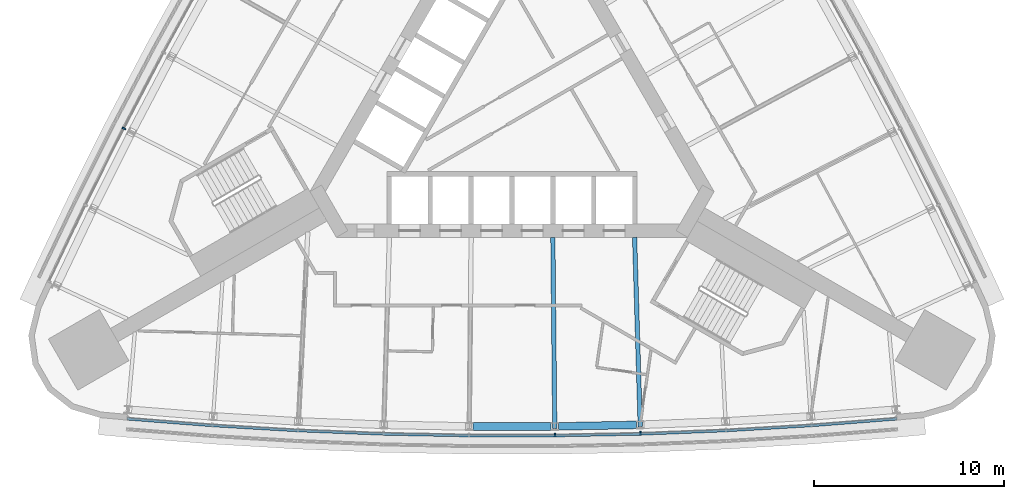
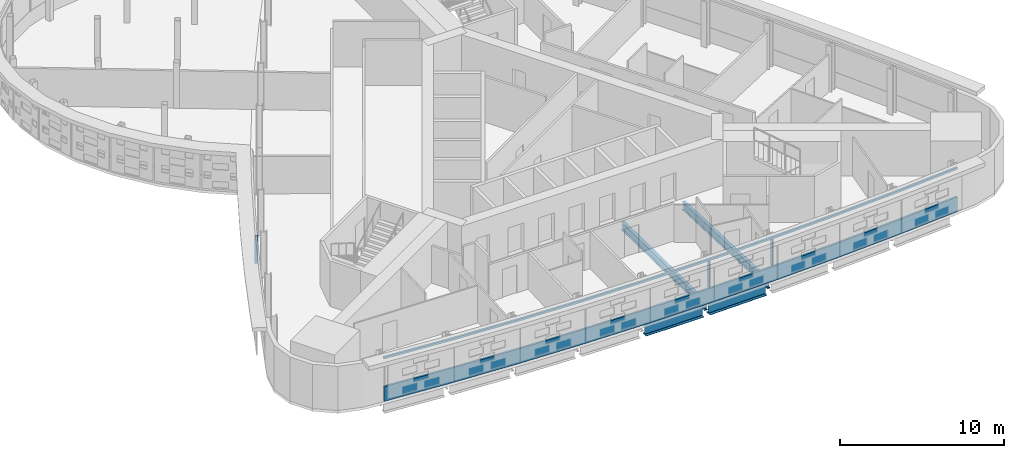
# One storey, part 5 of 16: 5 members, 4 beams, 2 elements without a shape of their own.
"""IFC4 building model written with IfcOpenShell, lengths in metres."""

from ifc_helpers import new_model, si_unit, direction, frame, origin, origin_2d, place, context, subcontext, project, spatial, polyline, rectangle, i_section, outline, extrude, material, material_profile, profile_set, type_object, element, aggregate, save


model = new_model("IFC4")

# Units and contexts
model_context = context("Model", 3, precision=1e-05, world=origin(), true_north=direction((0.0, 1.0)))
body_context = subcontext(model_context, "Body", "Model", "MODEL_VIEW")
ifc_project = project(units=[si_unit("LENGTHUNIT", "METRE"), si_unit("AREAUNIT", "SQUARE_METRE"), si_unit("VOLUMEUNIT", "CUBIC_METRE"), si_unit("PLANEANGLEUNIT", "RADIAN"), si_unit("MASSUNIT", "GRAM", prefix="KILO")], contexts=[model_context])

# Site, building, storey
site_placement = place(None, origin())
site = spatial("IfcSite", under=ifc_project, at=site_placement, CompositionType="ELEMENT")
building_placement = place(site_placement, origin())
building = spatial("IfcBuilding", under=site, at=building_placement, Name="Noor Cloister Tower", CompositionType="ELEMENT")
storey_placement = place(building_placement, frame((0.0, 0.0, 91.5)))
storey = spatial("IfcBuildingStorey", under=building, at=storey_placement, Name="L23", CompositionType="ELEMENT", Elevation=91.5)

# Beams
ifc_material_1 = material(Name="Steel ASTM A992 Gr 50", Category="steel")
ifc_material_profile_1 = material_profile(ifc_material_1, i_section(OverallWidth=0.40087890625, OverallDepth=0.98291015625, WebThickness=0.0166015625, FlangeThickness=0.027099609375, FilletRadius=0.030029296875, at=origin_2d()), Name="W1000x296")
ifc_profile_set_1 = profile_set([ifc_material_profile_1], Name="Steel ASTM A992 Gr 50")
beam_type_1 = type_object("IfcBeamType", Name="Belt chord girder W1000x296", PredefinedType="BEAM", material=ifc_profile_set_1)
for number, where, z_axis, x_axis, name in (
    (1, (-2.0439453125, -16.866455078125, -0.69140625), (1.0, 0.0, 0.0), (0.0, 1.0, 0.0), "Spandrel beam S 05 L23"),
    (2, (2.445068359375, -16.862548828125, -0.69140625), (0.999805773471, 0.019708255495, 0.0), (-0.019708255495, 0.999805773471, 0.0), "Spandrel beam S 06 L23"),
):
    element("IfcBeam", number, at=place(storey_placement, frame(where, z_axis=z_axis, x_axis=x_axis)), inside=storey, type_object=beam_type_1, Name=name, PredefinedType="BEAM", context=body_context, shape_type="SweptSolid", body=[
        extrude(i_section(OverallWidth=0.40087890625, OverallDepth=0.98291015625, WebThickness=0.0166015625, FlangeThickness=0.027099609375, FilletRadius=0.030029296875, at=origin_2d()), origin(), (0.0, 0.0, 1.0), 4.087890625),
    ])

# Curtain wall, member
ifc_material_2 = material(Name="Aluminium 6063-T6 anodised", Category="aluminium")
curtain_wall_type = type_object("IfcCurtainWallType", Name="Ribbon curtain wall, lower tower CW1", PredefinedType="NOTDEFINED", material=ifc_material_2)
curtain_wall_1_placement = place(storey_placement, origin())
curtain_wall_1 = element("IfcCurtainWall", 3, at=curtain_wall_1_placement, inside=storey, type_object=curtain_wall_type, Name="CW1 L23 S run 3", PredefinedType="NOTDEFINED")
ifc_material_3 = material(Name="Aluminium 6063-T6 anodised", Category="aluminium")
member_type_1 = type_object("IfcMemberType", Name="Head transom CW1 150", PredefinedType="USERDEFINED", material=ifc_material_3)
member_1_placement = place(storey_placement, frame((0.0, 0.0, 3.14990234375)))
member_1 = element("IfcMember", 4, at=member_1_placement, type_object=member_type_1, Name="CW1 head transom", ObjectType="TRANSOM", PredefinedType="USERDEFINED", context=body_context, shape_type="SweptSolid", body=[
    extrude(outline(polyline([(-20.2236328125, -16.53125), (-15.737548828125, -16.88525390625), (-11.245361328125, -17.150634765625), (-6.7490234375, -17.327880859375), (-2.25, -17.41650390625), (2.25, -17.41650390625), (6.7490234375, -17.327880859375), (11.245361328125, -17.150634765625), (15.737548828125, -16.88525390625), (20.2236328125, -16.53125), (20.21240234375, -16.3916015625), (15.72802734375, -16.74560546875), (11.238525390625, -17.010986328125), (6.744873046875, -17.18798828125), (2.24853515625, -17.2763671875), (-2.24853515625, -17.2763671875), (-6.744873046875, -17.18798828125), (-11.238525390625, -17.010986328125), (-15.72802734375, -16.74560546875), (-20.21240234375, -16.3916015625), (-20.2236328125, -16.53125)])), origin(), (0.0, 0.0, 1.0), 0.150146484375),
])

curtain_wall_2_placement = place(storey_placement, origin())
curtain_wall_2 = element("IfcCurtainWall", 5, at=curtain_wall_2_placement, inside=storey, type_object=curtain_wall_type, Name="CW1 L23 NW run 2", PredefinedType="NOTDEFINED")
ifc_material_4 = material(Name="Aluminium 6063-T6 anodised", Category="aluminium")
ifc_material_profile_2 = material_profile(ifc_material_4, rectangle(XDim=0.199951171875, YDim=0.080078125, at=origin_2d()), Name="200 x 80 mullion")
ifc_profile_set_2 = profile_set([ifc_material_profile_2], Name="Aluminium 6063-T6 anodised")
member_type_2 = type_object("IfcMemberType", Name="Mullion CW1 80 x 200", PredefinedType="MULLION", material=ifc_profile_set_2)
member_2_placement = place(storey_placement, frame((-20.38671875, -1.209228515625, 1.10009765625), z_axis=(0.0, 0.0, 1.0), x_axis=(0.889571260287, -0.456796423881, 0.0)))
member_2 = element("IfcMember", 6, at=member_2_placement, type_object=member_type_2, Name="CW1 mullion 3", PredefinedType="MULLION", context=body_context, shape_type="SweptSolid", body=[
    extrude(rectangle(XDim=0.199951171875, YDim=0.080078125, at=origin_2d()), origin(), (0.0, 0.0, 1.0), 2.0498046875),
])
aggregate(curtain_wall_2, [member_2])

# Member
member_3_placement = place(storey_placement, frame((2.2490234375, -17.31640625, 1.10009765625), z_axis=(0.0, 0.0, 1.0), x_axis=(-0.009841473527, 0.999951571527, 0.0)))
member_3 = element("IfcMember", 7, at=member_3_placement, type_object=member_type_2, Name="CW1 mullion 6", PredefinedType="MULLION", context=body_context, shape_type="SweptSolid", body=[
    extrude(rectangle(XDim=0.199951171875, YDim=0.080078125, at=origin_2d()), origin(), (0.0, 0.0, 1.0), 2.0498046875),
])

member_4_placement = place(storey_placement, frame((6.74609375, -17.227783203125, 1.10009765625), z_axis=(0.0, 0.0, 1.0), x_axis=(-0.029520625259, 0.999564171369, 0.0)))
member_4 = element("IfcMember", 8, at=member_4_placement, type_object=member_type_2, Name="CW1 mullion 7", PredefinedType="MULLION", context=body_context, shape_type="SweptSolid", body=[
    extrude(rectangle(XDim=0.199951171875, YDim=0.080078125, at=origin_2d()), origin(), (0.0, 0.0, 1.0), 2.0498046875),
])

# Beams
ifc_material_5 = material(Name="Steel ASTM A992 Gr 50", Category="steel")
ifc_material_profile_3 = material_profile(ifc_material_5, i_section(OverallWidth=0.22802734375, OverallDepth=0.60205078125, WebThickness=0.010498046875, FlangeThickness=0.014892578125, FilletRadius=0.0126953125, at=origin_2d()), Name="W610x101")
ifc_profile_set_3 = profile_set([ifc_material_profile_3], Name="Steel ASTM A992 Gr 50")
beam_type_2 = type_object("IfcBeamType", Name="Radial beam W610x101", PredefinedType="BEAM", material=ifc_profile_set_3)
beam_1_placement = place(storey_placement, frame((2.24560546875, -16.967041015625, -0.5009765625), z_axis=(-0.009848983597, 0.999951497585, 0.0), x_axis=(-0.999951497585, -0.009848983597, 0.0)))
element("IfcBeam", 9, at=beam_1_placement, inside=storey, type_object=beam_type_2, Name="Radial beam S 06 L23", PredefinedType="BEAM", context=body_context, shape_type="SweptSolid", body=[
    extrude(i_section(OverallWidth=0.22802734375, OverallDepth=0.60205078125, WebThickness=0.010498046875, FlangeThickness=0.014892578125, FilletRadius=0.0126953125, at=origin_2d()), origin(), (0.0, 0.0, 1.0), 10.039306640625),
])
beam_2_placement = place(storey_placement, frame((6.73583984375, -16.878662109375, -0.5009765625), z_axis=(-0.029528056482, 0.999563951871, 0.0), x_axis=(-0.999563951871, -0.029528056482, 0.0)))
element("IfcBeam", 10, at=beam_2_placement, inside=storey, type_object=beam_type_2, Name="Radial beam S 07 L23", PredefinedType="BEAM", context=body_context, shape_type="SweptSolid", body=[
    extrude(i_section(OverallWidth=0.22802734375, OverallDepth=0.60205078125, WebThickness=0.010498046875, FlangeThickness=0.014892578125, FilletRadius=0.0126953125, at=origin_2d()), origin(), (0.0, 0.0, 1.0), 9.954833984375),
])

# Member
ifc_material_6 = material(Name="Aluminium 6063-T6 anodised", Category="aluminium")
member_type_3 = type_object("IfcMemberType", Name="Sill transom CW1 1100", PredefinedType="USERDEFINED", material=ifc_material_6)
member_5_placement = place(storey_placement, origin())
member_5 = element("IfcMember", 11, at=member_5_placement, type_object=member_type_3, Name="CW1 sill transom", ObjectType="TRANSOM", PredefinedType="USERDEFINED", context=body_context, shape_type="SweptSolid", body=[
    extrude(outline(polyline([(-20.2236328125, -16.53125), (-15.737548828125, -16.88525390625), (-11.245361328125, -17.150634765625), (-6.7490234375, -17.327880859375), (-2.25, -17.41650390625), (2.25, -17.41650390625), (6.7490234375, -17.327880859375), (11.245361328125, -17.150634765625), (15.737548828125, -16.88525390625), (20.2236328125, -16.53125), (20.21240234375, -16.3916015625), (15.72802734375, -16.74560546875), (11.238525390625, -17.010986328125), (6.744873046875, -17.18798828125), (2.24853515625, -17.2763671875), (-2.24853515625, -17.2763671875), (-6.744873046875, -17.18798828125), (-11.238525390625, -17.010986328125), (-15.72802734375, -16.74560546875), (-20.21240234375, -16.3916015625), (-20.2236328125, -16.53125)])), origin(), (0.0, 0.0, 1.0), 1.10009765625),
])

aggregate(curtain_wall_1, [member_3, member_4, member_5, member_1])

save(model, "model.ifc")
